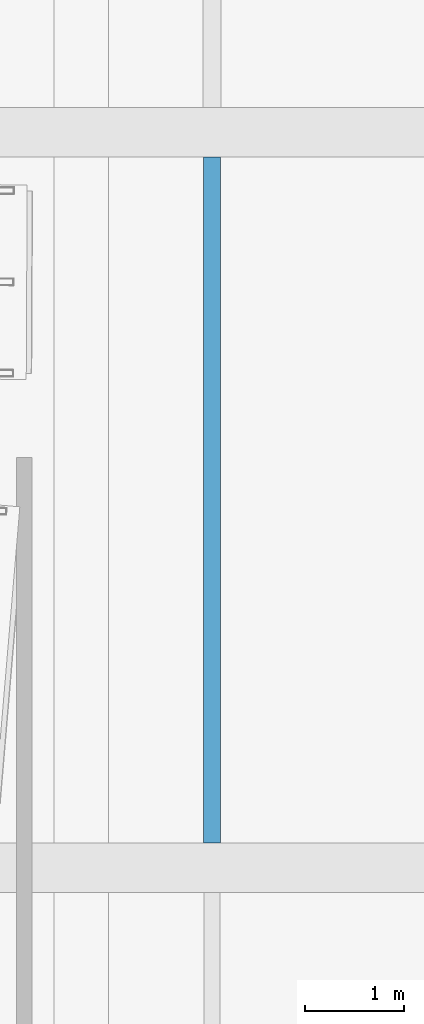
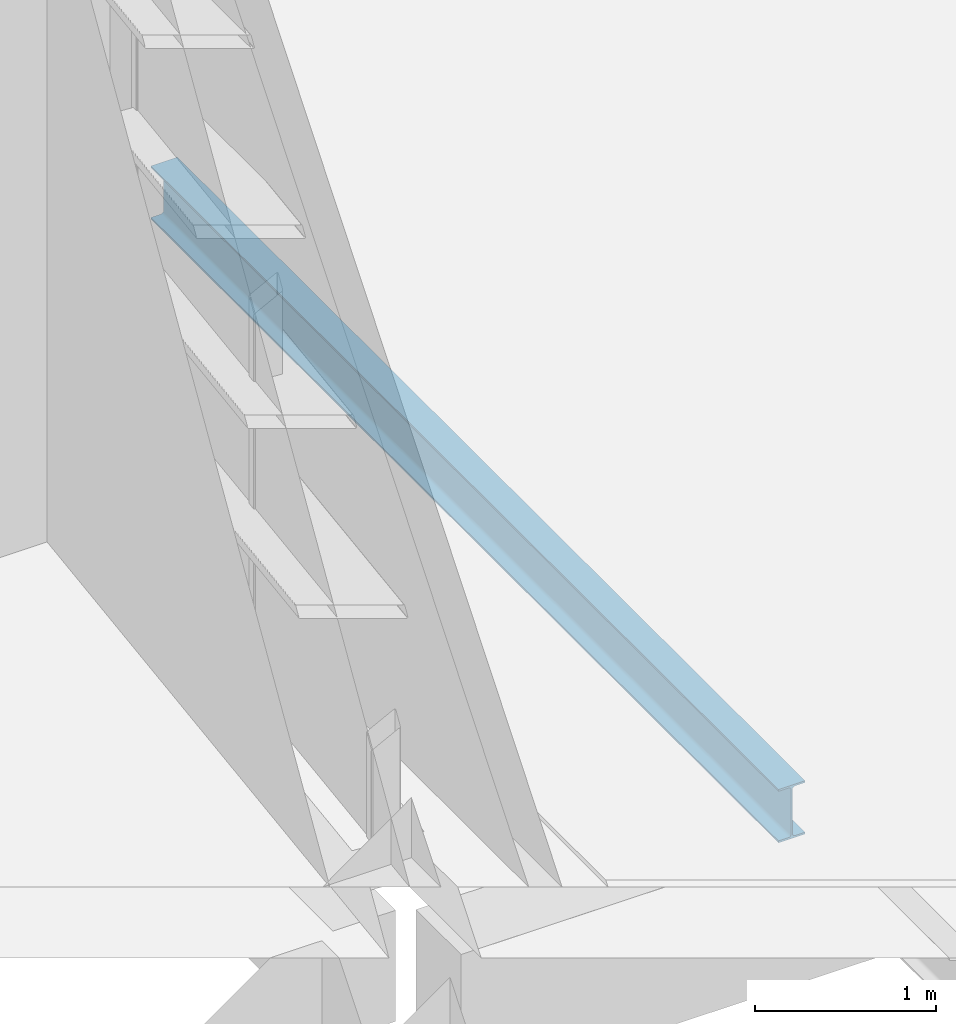
# One storey, part 122 of 372: 1 beam.
"""IFC4 building model written with IfcOpenShell, lengths in metres."""

from ifc_helpers import new_model, si_unit, direction, frame, origin, origin_2d, place, context, subcontext, project, spatial, i_section, extrude, material, material_profile, profile_set, type_object, element, save


model = new_model("IFC4")

# Units and contexts
model_context = context("Model", 3, precision=1e-05, world=origin(), true_north=direction((0.0, 1.0)))
body_context = subcontext(model_context, "Body", "Model", "MODEL_VIEW")
ifc_project = project(units=[si_unit("LENGTHUNIT", "METRE"), si_unit("AREAUNIT", "SQUARE_METRE"), si_unit("VOLUMEUNIT", "CUBIC_METRE"), si_unit("PLANEANGLEUNIT", "RADIAN"), si_unit("MASSUNIT", "GRAM", prefix="KILO")], contexts=[model_context])

# Site, building, storey
site_placement = place(None, origin())
site = spatial("IfcSite", under=ifc_project, at=site_placement, CompositionType="ELEMENT")
building_placement = place(site_placement, origin())
building = spatial("IfcBuilding", under=site, at=building_placement, Name="Kaelora Sail Theatre", CompositionType="ELEMENT")
storey_placement = place(building_placement, origin())
storey = spatial("IfcBuildingStorey", under=building, at=storey_placement, Name="L00", CompositionType="ELEMENT", Elevation=0.0)

# Beam
ifc_material = material(Name="Steel S355", Category="steel")
ifc_material_profile = material_profile(ifc_material, i_section(OverallWidth=0.169921875, OverallDepth=0.360107421875, WebThickness=0.008056640625, FlangeThickness=0.0126953125, FilletRadius=0.01806640625, at=origin_2d()), Name="IPE 360")
ifc_profile_set = profile_set([ifc_material_profile], Name="Steel S355")
beam_type = type_object("IfcBeamType", Name="STR-BM-JS-IPE360", PredefinedType="JOIST", material=ifc_profile_set)
beam_placement = place(storey_placement, frame((60.89990234375, 46.389892578125, -0.5), z_axis=(0.0, 1.0, 0.0), x_axis=(-1.0, 0.0, 0.0)))
element("IfcBeam", 1, at=beam_placement, inside=storey, type_object=beam_type, Name="Secondary floor joist 8/G-1 (L00)", PredefinedType="JOIST", context=body_context, shape_type="SweptSolid", body=[
    extrude(i_section(OverallWidth=0.169921875, OverallDepth=0.360107421875, WebThickness=0.008056640625, FlangeThickness=0.0126953125, FilletRadius=0.01806640625, at=origin_2d()), origin(), (0.0, 0.0, 1.0), 6.940185546875),
])

save(model, "model.ifc")
